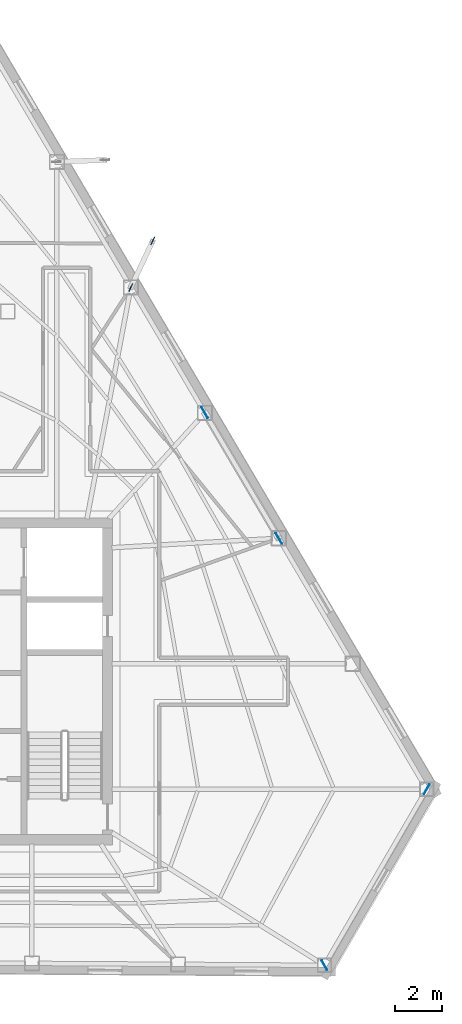
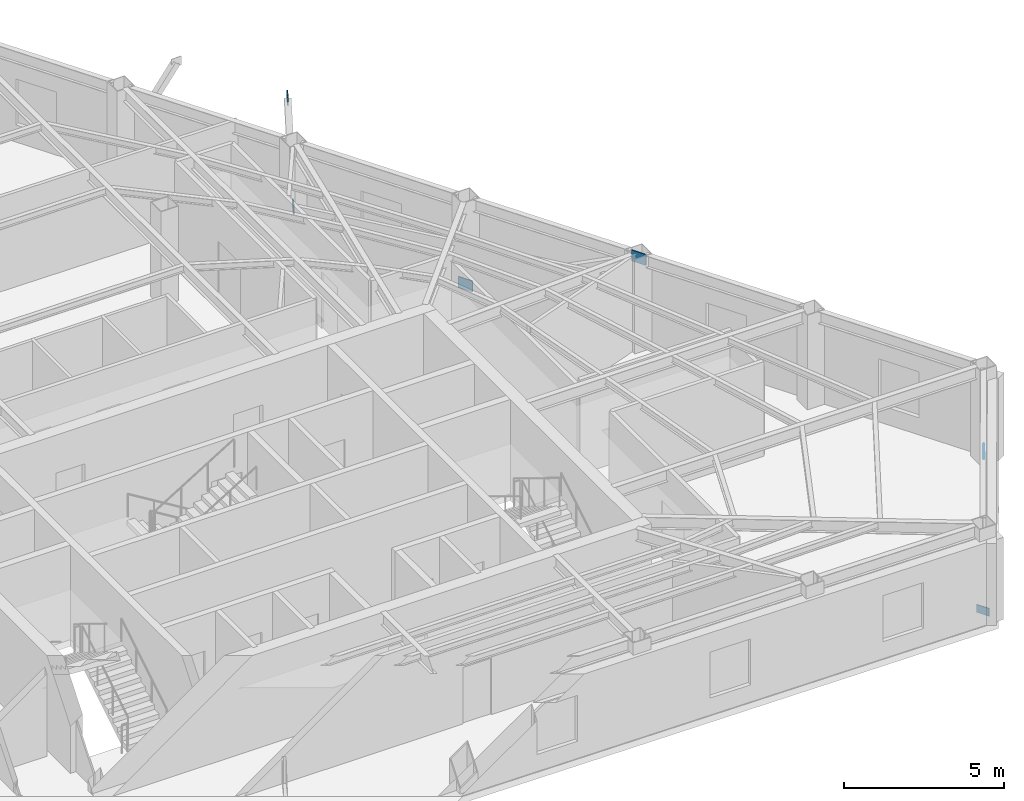
# One storey, part 5 of 11: 6 plates.
"""IFC4 building model written with IfcOpenShell, lengths in metres."""

import ifcopenshell
import ifcopenshell.guid

model = None  # the IFC model being written
_history = None  # IfcOwnerHistory: only IFC2X3 demands one
_inside = {}  # id of a spatial element -> (the spatial element, [elements in it])
_under = {}  # id of a project, library or spatial element -> (it, [spatial elements below it])
_declared = {}  # id of a project -> (the project, [libraries it declares])
_typed = {}  # id of a type object -> (the type object, [elements of that type])
_made_of = {}  # id of a material, layer set ... -> (it, [elements and type objects made of it])


def new_model(schema):
    """Start an empty IFC model of exactly this schema.

    Asked for "IFC4X3", IfcOpenShell would pick the latest addendum, in which some entities
    have other attributes; the version numbers below select the first issue.
    IFC2X3 requires an IfcOwnerHistory on every rooted entity: one is made here for all.
    """
    global model, _history
    if schema == "IFC4X3":
        model = ifcopenshell.file(schema_version=(4, 3, 0, 0))
    else:
        model = ifcopenshell.file(schema=schema)
    _inside.clear()
    _under.clear()
    _declared.clear()
    _typed.clear()
    _made_of.clear()
    _history = None
    if model.schema == "IFC2X3":
        org = make("IfcOrganization", Name="unknown")
        user = make(
            "IfcPersonAndOrganization",
            ThePerson=make("IfcPerson", FamilyName="unknown"),
            TheOrganization=org,
        )
        app = make(
            "IfcApplication",
            ApplicationDeveloper=org,
            Version="unknown",
            ApplicationFullName="unknown",
            ApplicationIdentifier="unknown",
        )
        _history = make(
            "IfcOwnerHistory",
            OwningUser=user,
            OwningApplication=app,
            ChangeAction="ADDED",
            CreationDate=0,
        )
    return model


def make(cls, **values):
    """One entity of the class cls with the attributes given. An attribute that is None is left unset."""
    return model.create_entity(
        cls, **{name: value for name, value in values.items() if value is not None}
    )


def rooted(cls, **values):
    """An entity with a GlobalId (a new one), such as an element, a storey or a relation."""
    return make(cls, GlobalId=ifcopenshell.guid.new(), OwnerHistory=_history, **values)


def si_unit(unit_type, name, prefix=None):
    """IfcSIUnit, for example si_unit("LENGTHUNIT", "METRE", prefix="MILLI")."""
    return make("IfcSIUnit", UnitType=unit_type, Prefix=prefix, Name=name)


def assignment(units):
    """IfcUnitAssignment: the units of a project."""
    return None if units is None else make("IfcUnitAssignment", Units=units)


def point(xyz):
    """IfcCartesianPoint."""
    return None if xyz is None else make("IfcCartesianPoint", Coordinates=xyz)


def direction(xyz):
    """IfcDirection."""
    return None if xyz is None else make("IfcDirection", DirectionRatios=xyz)


def frame(location, z_axis=None, x_axis=None):
    """IfcAxis2Placement3D, a coordinate frame: its origin and axes. An axis left out is left unset."""
    return make(
        "IfcAxis2Placement3D",
        Location=point(location),
        Axis=direction(z_axis),
        RefDirection=direction(x_axis),
    )


def frame_2d(location, x_axis=None):
    """IfcAxis2Placement2D, a coordinate frame in the plane: its origin and x axis."""
    return make(
        "IfcAxis2Placement2D", Location=point(location), RefDirection=direction(x_axis)
    )


def origin():
    """The frame at (0, 0, 0) with its axes left unset."""
    return frame((0.0, 0.0, 0.0))


def origin_2d():
    """The frame at (0, 0) in the plane with its x axis left unset."""
    return frame_2d((0.0, 0.0))


def place(relative_to, where):
    """IfcLocalPlacement: puts the frame where relative to a parent placement (None: the world)."""
    return make(
        "IfcLocalPlacement", PlacementRelTo=relative_to, RelativePlacement=where
    )


def context(
    kind, dimensions, precision=None, world=None, true_north=None, identifier=None
):
    """IfcGeometricRepresentationContext, for example the 3D "Model" context."""
    return make(
        "IfcGeometricRepresentationContext",
        ContextIdentifier=identifier,
        ContextType=kind,
        CoordinateSpaceDimension=dimensions,
        Precision=precision,
        WorldCoordinateSystem=world,
        TrueNorth=true_north,
    )


def subcontext(parent, identifier, kind, view, scale=None):
    """IfcGeometricRepresentationSubContext, for example "Body" below "Model"."""
    return make(
        "IfcGeometricRepresentationSubContext",
        ContextIdentifier=identifier,
        ContextType=kind,
        ParentContext=parent,
        TargetScale=scale,
        TargetView=view,
    )


def project(units=None, contexts=None):
    """IfcProject with its units and contexts."""
    return rooted(
        "IfcProject",
        Name="project",
        RepresentationContexts=contexts,
        UnitsInContext=assignment(units),
    )


def spatial(cls, under=None, at=None, **own):
    """A site, building, storey or space (cls), placed at a placement, below another one or the project."""
    s = rooted(cls, ObjectPlacement=at, **own)
    if under is not None:
        _under.setdefault(under.id(), (under, []))[1].append(s)
    return s


def profile(cls, at=None, kind="AREA", **sizes):
    """A parametric profile (cls). Its sizes go by their IFC names, for example OverallWidth=200.0."""
    return make(cls, ProfileType=kind, Position=at, **sizes)


def rectangle(**sizes):
    """IfcRectangleProfileDef."""
    return profile("IfcRectangleProfileDef", **sizes)


def extrude(swept, where, along, depth):
    """IfcExtrudedAreaSolid: the profile swept, set in the frame where, extruded along a direction by depth."""
    return make(
        "IfcExtrudedAreaSolid",
        SweptArea=swept,
        Position=where,
        ExtrudedDirection=direction(along),
        Depth=depth,
    )


def shape(context_of_items, identifier, shape_type, items):
    """IfcShapeRepresentation: the items that make up one representation, for example the "Body"."""
    return make(
        "IfcShapeRepresentation",
        ContextOfItems=context_of_items,
        RepresentationIdentifier=identifier,
        RepresentationType=shape_type,
        Items=items,
    )


def material(Name=None, Category=None):
    """IfcMaterial."""
    return make("IfcMaterial", Name=Name, Category=Category)


def layer(
    of_material, thickness, ventilated=None, Name=None, Category=None, Priority=None
):
    """IfcMaterialLayer: one layer of a wall or slab, of a material (None: an air gap)."""
    return make(
        "IfcMaterialLayer",
        Material=of_material,
        LayerThickness=thickness,
        IsVentilated=ventilated,
        Name=Name,
        Category=Category,
        Priority=Priority,
    )


def layer_set(layers, Name=None):
    """IfcMaterialLayerSet."""
    return make("IfcMaterialLayerSet", MaterialLayers=layers, LayerSetName=Name)


def made_of(thing, what):
    """Note that an element or type object is made of a material, layer set ...; save() writes the relation."""
    if what is not None:
        _made_of.setdefault(what.id(), (what, []))[1].append(thing)
    return thing


def type_object(cls, material=None, **own):
    """A type object (cls), such as IfcWallType, which elements share."""
    return made_of(rooted(cls, **own), material)


def element(
    cls,
    number,
    at=None,
    inside=None,
    cuts=None,
    type_object=None,
    material=None,
    context=None,
    identifier="Body",
    shape_type=None,
    held_by="IfcProductDefinitionShape",
    body=None,
    shapes=None,
    **own,
):
    """One element of the class cls, such as IfcWall. Its Tag is "e" and its number.

    at: its placement. inside: the storey or other place that contains it. cuts: it is an
    opening in that element (IfcRelVoidsElement). A single representation is given by context,
    identifier, shape_type and body (its items); several are given by shapes. held_by: the class
    of the entity that holds the representations. save() writes the other relations.
    """
    e = rooted(cls, Tag="e%d" % number, ObjectPlacement=at, **own)
    if body is not None:
        shapes = [shape(context, identifier, shape_type, body)]
    if shapes is not None:
        e.Representation = make(held_by, Representations=shapes)
    if inside is not None:
        _inside.setdefault(inside.id(), (inside, []))[1].append(e)
    if cuts is not None:
        rooted(
            "IfcRelVoidsElement", RelatingBuildingElement=cuts, RelatedOpeningElement=e
        )
    if type_object is not None:
        _typed.setdefault(type_object.id(), (type_object, []))[1].append(e)
    return made_of(e, material)


def aggregate(whole, parts):
    """IfcRelAggregates: a whole, such as a stair, and the parts it consists of."""
    return rooted("IfcRelAggregates", RelatingObject=whole, RelatedObjects=parts)


def save(model, path):
    """Write the relations noted so far, then the file.

    IfcRelAggregates (storeys below a building ...), IfcRelContainedInSpatialStructure (elements
    in a storey), IfcRelDefinesByType, IfcRelAssociatesMaterial and IfcRelDeclares: one each for
    every whole, place, type object, material and project.
    """
    for whole, parts in _under.values():
        aggregate(whole, parts)
    for where, things in _inside.values():
        rooted(
            "IfcRelContainedInSpatialStructure",
            RelatedElements=things,
            RelatingStructure=where,
        )
    for kind, things in _typed.values():
        rooted("IfcRelDefinesByType", RelatedObjects=things, RelatingType=kind)
    for what, things in _made_of.values():
        rooted("IfcRelAssociatesMaterial", RelatedObjects=things, RelatingMaterial=what)
    for by, libraries in _declared.values():
        rooted("IfcRelDeclares", RelatingContext=by, RelatedDefinitions=libraries)
    model.write(path)


model = new_model("IFC4")

# Units and contexts
model_context = context("Model", 3, precision=1e-05, world=origin(), true_north=direction((0.0, 1.0)))
body_context = subcontext(model_context, "Body", "Model", "MODEL_VIEW")
ifc_project = project(units=[si_unit("LENGTHUNIT", "METRE"), si_unit("AREAUNIT", "SQUARE_METRE"), si_unit("VOLUMEUNIT", "CUBIC_METRE"), si_unit("PLANEANGLEUNIT", "RADIAN"), si_unit("MASSUNIT", "GRAM", prefix="KILO")], contexts=[model_context])

# Site, building, storey
site_placement = place(None, origin())
site = spatial("IfcSite", under=ifc_project, at=site_placement, CompositionType="ELEMENT")
building_placement = place(site_placement, origin())
building = spatial("IfcBuilding", under=site, at=building_placement, Name="Kavelnor Concourse Tower", CompositionType="ELEMENT")
storey_placement = place(building_placement, frame((0.0, 0.0, 195.800048828125)))
storey = spatial("IfcBuildingStorey", under=building, at=storey_placement, Name="L49", CompositionType="ELEMENT", Elevation=195.800048828125)

# Plates
ifc_material = material(Name="Steel Grade 350", Category="steel")
ifc_layer_1 = layer(ifc_material, 0.028076171875, Name="Steel Grade 350")
ifc_layer_set_1 = layer_set([ifc_layer_1], Name="Steel Grade 350")
plate_type_1 = type_object("IfcPlateType", Name="PL-GUSSET-FOLD", PredefinedType="USERDEFINED", material=ifc_layer_set_1)
for number, where, z_axis, x_axis, name in (
    (1, (56.947998046875, 4.0478515625, 0.10009765625), (0.0, 0.0, 1.0), (-0.5, 0.866025403784, 0.0), "L49 Herringbone Corner-Fold Kink Gusset Plate F1-B6"),
    (2, (61.287841796875, 11.5224609375, 0.10009765625), (0.0, 0.0, 1.0), (-0.5, -0.866025403784, 0.0), "L49 Herringbone Corner-Fold Kink Gusset Plate F2-B0"),
):
    element("IfcPlate", number, at=place(storey_placement, frame(where, z_axis=z_axis, x_axis=x_axis)), inside=storey, type_object=plate_type_1, Name=name, ObjectType="GUSSET_PLATE", PredefinedType="USERDEFINED", context=body_context, shape_type="SweptSolid", body=[
        extrude(rectangle(XDim=0.4599609375, YDim=0.028076171875, at=origin_2d()), origin(), (0.0, 0.0, 1.0), 0.300048828125),
    ])
for number, where, z_axis, x_axis, name in (
    (3, (48.72509765625, 32.816650390625, 0.8798828125), (0.0, 0.0, 1.0), (0.426410876203, 0.904529581968, 0.0), "L49 Balcony Strut Gusset GP4 1-A End Gusset A"),
    (4, (49.6591796875, 34.798583984375, 3.48486328125), (0.0, 0.0, 1.0), (0.426410876203, 0.904529581968, 0.0), "L49 Balcony Strut Gusset GP4 1-A End Gusset B"),
):
    element("IfcPlate", number, at=place(storey_placement, frame(where, z_axis=z_axis, x_axis=x_axis)), inside=storey, type_object=plate_type_1, Name=name, ObjectType="GUSSET_PLATE", PredefinedType="USERDEFINED", context=body_context, shape_type="SweptSolid", body=[
        extrude(rectangle(XDim=0.360107421875, YDim=0.028076171875, at=origin_2d()), origin(), (0.0, 0.0, 1.0), 0.340087890625),
    ])
ifc_layer_2 = layer(ifc_material, 0.031982421875, Name="Steel Grade 350")
ifc_layer_set_2 = layer_set([ifc_layer_2], Name="Steel Grade 350")
plate_type_2 = type_object("IfcPlateType", Name="PL-GUSSET-TUBE-Z1", PredefinedType="USERDEFINED", material=ifc_layer_set_2)
for number, where, z_axis, x_axis, name in (
    (5, (51.863525390625, 27.51171875, 0.010009765625), (0.0, 0.0, 1.0), (0.507688737887, -0.861540565163, 0.0), "L49 Tube Brace Gusset GP3 F2-B2 End Gusset A"),
    (6, (55.01513671875, 22.164794921875, 3.159912109375), (0.0, 0.0, 1.0), (0.507688737887, -0.861540565163, 0.0), "L49 Tube Brace Gusset GP3 F2-B2 End Gusset B"),
):
    element("IfcPlate", number, at=place(storey_placement, frame(where, z_axis=z_axis, x_axis=x_axis)), inside=storey, type_object=plate_type_2, Name=name, ObjectType="GUSSET_PLATE", PredefinedType="USERDEFINED", context=body_context, shape_type="SweptSolid", body=[
        extrude(rectangle(XDim=0.52001953125, YDim=0.031982421875, at=origin_2d()), origin(), (0.0, 0.0, 1.0), 0.419921875),
    ])

save(model, "model.ifc")
